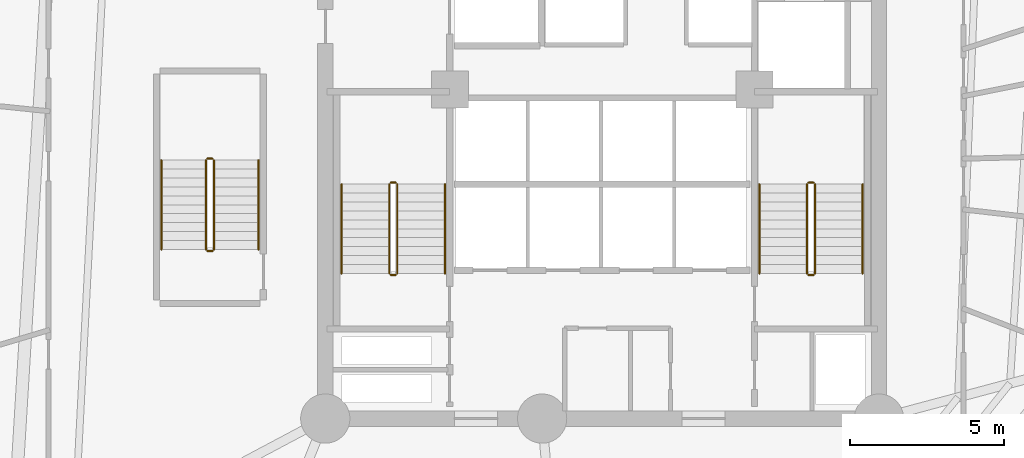
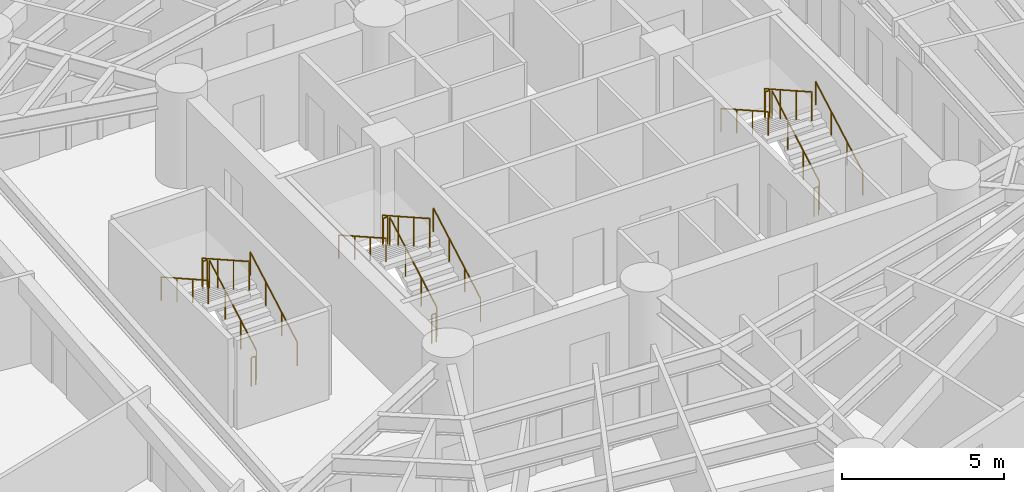
# One storey, part 8 of 8: 18 railings.
"""IFC4 building model written with IfcOpenShell, lengths in metres."""

from ifc_helpers import new_model, si_unit, direction, frame, origin, origin_2d, place, context, subcontext, project, spatial, circle, extrude, material, layer, layer_set, type_object, element, save


model = new_model("IFC4")

# Units and contexts
model_context = context("Model", 3, precision=1e-05, world=origin(), true_north=direction((0.0, 1.0)))
body_context = subcontext(model_context, "Body", "Model", "MODEL_VIEW")
ifc_project = project(units=[si_unit("LENGTHUNIT", "METRE"), si_unit("AREAUNIT", "SQUARE_METRE"), si_unit("VOLUMEUNIT", "CUBIC_METRE"), si_unit("PLANEANGLEUNIT", "RADIAN"), si_unit("MASSUNIT", "GRAM", prefix="KILO")], contexts=[model_context])

# Site, building, storey
site_placement = place(None, origin())
site = spatial("IfcSite", under=ifc_project, at=site_placement, CompositionType="ELEMENT")
building_placement = place(site_placement, origin())
building = spatial("IfcBuilding", under=site, at=building_placement, Name="Karkom Vertical University and Central Library", CompositionType="ELEMENT")
storey_placement = place(building_placement, frame((0.0, 0.0, 33.699951171875)))
storey = spatial("IfcBuildingStorey", under=building, at=storey_placement, Name="L08", CompositionType="ELEMENT", Elevation=33.699951171875)

# Railings
ifc_material_1 = material(Name="Painted galvanised steel balustrade", Category="steel")
ifc_layer_1 = layer(ifc_material_1, 0.06005859375)
ifc_layer_set_1 = layer_set([ifc_layer_1], Name="Painted galvanised steel balustrade")
railing_type_1 = type_object("IfcRailingType", Name="INT-RL-GUARD1100", PredefinedType="GUARDRAIL", material=ifc_layer_set_1)
railing_1_placement = place(storey_placement, frame((21.840087890625, 23.02001953125, 0.16357421875)))
element("IfcRailing", 1, at=railing_1_placement, inside=storey, type_object=railing_type_1, Name="Level 08 ST-1 stair guard 1", PredefinedType="GUARDRAIL", context=body_context, shape_type="SweptSolid", body=[
    extrude(circle(Radius=0.02392578125, at=origin_2d()), frame((0.0, 0.0, 1.076171875), z_axis=(0.0, 0.870897200241, 0.491465224214), x_axis=(-1.0, 0.0, 0.0)), (0.0, 0.0, 1.0), 3.329833984375),
    extrude(circle(Radius=0.02099609375, at=origin_2d()), origin(), (0.0, 0.0, 1.0), 1.052001953125),
    extrude(circle(Radius=0.02099609375, at=origin_2d()), frame((0.0, 0.966552734375, 0.54541015625)), (0.0, 0.0, 1.0), 1.052001953125),
    extrude(circle(Radius=0.02099609375, at=origin_2d()), frame((0.0, 1.933349609375, 1.091064453125)), (0.0, 0.0, 1.0), 1.052001953125),
    extrude(circle(Radius=0.02099609375, at=origin_2d()), frame((0.0, 2.89990234375, 1.636474609375)), (0.0, 0.0, 1.0), 1.052001953125),
])
railing_2_placement = place(storey_placement, frame((21.7900390625, 25.969970703125, 1.800048828125)))
element("IfcRailing", 2, at=railing_2_placement, inside=storey, type_object=railing_type_1, Name="Level 08 ST-1 stair guard 2", PredefinedType="GUARDRAIL", context=body_context, shape_type="SweptSolid", body=[
    extrude(circle(Radius=0.02392578125, at=origin_2d()), frame((0.0, 0.0, 1.076171875), z_axis=(-1.0, 0.0, 0.0), x_axis=(0.0, -1.0, 0.0)), (0.0, 0.0, 1.0), 0.16015625),
    extrude(circle(Radius=0.02099609375, at=origin_2d()), origin(), (0.0, 0.0, 1.0), 1.052001953125),
    extrude(circle(Radius=0.02099609375, at=origin_2d()), frame((-0.16015625, 0.0, 0.0)), (0.0, 0.0, 1.0), 1.052001953125),
])
railing_3_placement = place(storey_placement, frame((21.580078125, 25.919921875, 1.963623046875)))
element("IfcRailing", 3, at=railing_3_placement, inside=storey, type_object=railing_type_1, Name="Level 08 ST-1 stair guard 3", PredefinedType="GUARDRAIL", context=body_context, shape_type="SweptSolid", body=[
    extrude(circle(Radius=0.02392578125, at=origin_2d()), frame((0.0, 0.0, 1.076171875), z_axis=(0.0, -0.870897200241, 0.491465224214), x_axis=(1.0, 0.0, 0.0)), (0.0, 0.0, 1.0), 3.329833984375),
    extrude(circle(Radius=0.02099609375, at=origin_2d()), origin(), (0.0, 0.0, 1.0), 1.052001953125),
    extrude(circle(Radius=0.02099609375, at=origin_2d()), frame((0.0, -0.966552734375, 0.54541015625)), (0.0, 0.0, 1.0), 1.052001953125),
    extrude(circle(Radius=0.02099609375, at=origin_2d()), frame((0.0, -1.933349609375, 1.091064453125)), (0.0, 0.0, 1.0), 1.052001953125),
    extrude(circle(Radius=0.02099609375, at=origin_2d()), frame((0.0, -2.89990234375, 1.636474609375)), (0.0, 0.0, 1.0), 1.052001953125),
])
railing_4_placement = place(storey_placement, frame((21.7900390625, 22.969970703125, 0.0)))
element("IfcRailing", 4, at=railing_4_placement, inside=storey, type_object=railing_type_1, Name="Level 08 ST-1 stair guard 4", PredefinedType="GUARDRAIL", context=body_context, shape_type="SweptSolid", body=[
    extrude(circle(Radius=0.02392578125, at=origin_2d()), frame((0.0, 0.0, 1.076171875), z_axis=(-1.0, 0.0, 0.0), x_axis=(0.0, -1.0, 0.0)), (0.0, 0.0, 1.0), 0.16015625),
    extrude(circle(Radius=0.02099609375, at=origin_2d()), origin(), (0.0, 0.0, 1.0), 1.052001953125),
    extrude(circle(Radius=0.02099609375, at=origin_2d()), frame((-0.16015625, 0.0, 0.0)), (0.0, 0.0, 1.0), 1.052001953125),
])
railing_5_placement = place(storey_placement, frame((35.419921875, 23.02001953125, 0.16357421875)))
element("IfcRailing", 5, at=railing_5_placement, inside=storey, type_object=railing_type_1, Name="Level 08 ST-2 stair guard 1", PredefinedType="GUARDRAIL", context=body_context, shape_type="SweptSolid", body=[
    extrude(circle(Radius=0.02392578125, at=origin_2d()), frame((0.0, 0.0, 1.076171875), z_axis=(0.0, 0.870897200241, 0.491465224214), x_axis=(-1.0, 0.0, 0.0)), (0.0, 0.0, 1.0), 3.329833984375),
    extrude(circle(Radius=0.02099609375, at=origin_2d()), origin(), (0.0, 0.0, 1.0), 1.052001953125),
    extrude(circle(Radius=0.02099609375, at=origin_2d()), frame((0.0, 0.966552734375, 0.54541015625)), (0.0, 0.0, 1.0), 1.052001953125),
    extrude(circle(Radius=0.02099609375, at=origin_2d()), frame((0.0, 1.933349609375, 1.091064453125)), (0.0, 0.0, 1.0), 1.052001953125),
    extrude(circle(Radius=0.02099609375, at=origin_2d()), frame((0.0, 2.89990234375, 1.636474609375)), (0.0, 0.0, 1.0), 1.052001953125),
])
railing_6_placement = place(storey_placement, frame((35.3701171875, 25.969970703125, 1.800048828125)))
element("IfcRailing", 6, at=railing_6_placement, inside=storey, type_object=railing_type_1, Name="Level 08 ST-2 stair guard 2", PredefinedType="GUARDRAIL", context=body_context, shape_type="SweptSolid", body=[
    extrude(circle(Radius=0.02392578125, at=origin_2d()), frame((0.0, 0.0, 1.076171875), z_axis=(-1.0, 0.0, 0.0), x_axis=(0.0, -1.0, 0.0)), (0.0, 0.0, 1.0), 0.16015625),
    extrude(circle(Radius=0.02099609375, at=origin_2d()), origin(), (0.0, 0.0, 1.0), 1.052001953125),
    extrude(circle(Radius=0.02099609375, at=origin_2d()), frame((-0.16015625, 0.0, 0.0)), (0.0, 0.0, 1.0), 1.052001953125),
])
railing_7_placement = place(storey_placement, frame((35.159912109375, 25.919921875, 1.963623046875)))
element("IfcRailing", 7, at=railing_7_placement, inside=storey, type_object=railing_type_1, Name="Level 08 ST-2 stair guard 3", PredefinedType="GUARDRAIL", context=body_context, shape_type="SweptSolid", body=[
    extrude(circle(Radius=0.02392578125, at=origin_2d()), frame((0.0, 0.0, 1.076171875), z_axis=(0.0, -0.870897200241, 0.491465224214), x_axis=(1.0, 0.0, 0.0)), (0.0, 0.0, 1.0), 3.329833984375),
    extrude(circle(Radius=0.02099609375, at=origin_2d()), origin(), (0.0, 0.0, 1.0), 1.052001953125),
    extrude(circle(Radius=0.02099609375, at=origin_2d()), frame((0.0, -0.966552734375, 0.54541015625)), (0.0, 0.0, 1.0), 1.052001953125),
    extrude(circle(Radius=0.02099609375, at=origin_2d()), frame((0.0, -1.933349609375, 1.091064453125)), (0.0, 0.0, 1.0), 1.052001953125),
    extrude(circle(Radius=0.02099609375, at=origin_2d()), frame((0.0, -2.89990234375, 1.636474609375)), (0.0, 0.0, 1.0), 1.052001953125),
])
railing_8_placement = place(storey_placement, frame((35.3701171875, 22.969970703125, 0.0)))
element("IfcRailing", 8, at=railing_8_placement, inside=storey, type_object=railing_type_1, Name="Level 08 ST-2 stair guard 4", PredefinedType="GUARDRAIL", context=body_context, shape_type="SweptSolid", body=[
    extrude(circle(Radius=0.02392578125, at=origin_2d()), frame((0.0, 0.0, 1.076171875), z_axis=(-1.0, 0.0, 0.0), x_axis=(0.0, -1.0, 0.0)), (0.0, 0.0, 1.0), 0.16015625),
    extrude(circle(Radius=0.02099609375, at=origin_2d()), origin(), (0.0, 0.0, 1.0), 1.052001953125),
    extrude(circle(Radius=0.02099609375, at=origin_2d()), frame((-0.16015625, 0.0, 0.0)), (0.0, 0.0, 1.0), 1.052001953125),
])
railing_9_placement = place(storey_placement, frame((15.8798828125, 23.800048828125, 0.16357421875)))
element("IfcRailing", 9, at=railing_9_placement, inside=storey, type_object=railing_type_1, Name="Level 08 ST-3 stair guard 1", PredefinedType="GUARDRAIL", context=body_context, shape_type="SweptSolid", body=[
    extrude(circle(Radius=0.02392578125, at=origin_2d()), frame((0.0, 0.0, 1.076171875), z_axis=(0.0, 0.870897200241, 0.491465224214), x_axis=(-1.0, 0.0, 0.0)), (0.0, 0.0, 1.0), 3.329833984375),
    extrude(circle(Radius=0.02099609375, at=origin_2d()), origin(), (0.0, 0.0, 1.0), 1.052001953125),
    extrude(circle(Radius=0.02099609375, at=origin_2d()), frame((0.0, 0.966552734375, 0.54541015625)), (0.0, 0.0, 1.0), 1.052001953125),
    extrude(circle(Radius=0.02099609375, at=origin_2d()), frame((0.0, 1.933349609375, 1.091064453125)), (0.0, 0.0, 1.0), 1.052001953125),
    extrude(circle(Radius=0.02099609375, at=origin_2d()), frame((0.0, 2.89990234375, 1.636474609375)), (0.0, 0.0, 1.0), 1.052001953125),
])
railing_10_placement = place(storey_placement, frame((15.830078125, 26.75, 1.800048828125)))
element("IfcRailing", 10, at=railing_10_placement, inside=storey, type_object=railing_type_1, Name="Level 08 ST-3 stair guard 2", PredefinedType="GUARDRAIL", context=body_context, shape_type="SweptSolid", body=[
    extrude(circle(Radius=0.02392578125, at=origin_2d()), frame((0.0, 0.0, 1.076171875), z_axis=(-1.0, 0.0, 0.0), x_axis=(0.0, -1.0, 0.0)), (0.0, 0.0, 1.0), 0.16015625),
    extrude(circle(Radius=0.02099609375, at=origin_2d()), origin(), (0.0, 0.0, 1.0), 1.052001953125),
    extrude(circle(Radius=0.02099609375, at=origin_2d()), frame((-0.16015625, 0.0, 0.0)), (0.0, 0.0, 1.0), 1.052001953125),
])
railing_11_placement = place(storey_placement, frame((15.6201171875, 26.699951171875, 1.963623046875)))
element("IfcRailing", 11, at=railing_11_placement, inside=storey, type_object=railing_type_1, Name="Level 08 ST-3 stair guard 3", PredefinedType="GUARDRAIL", context=body_context, shape_type="SweptSolid", body=[
    extrude(circle(Radius=0.02392578125, at=origin_2d()), frame((0.0, 0.0, 1.076171875), z_axis=(0.0, -0.870897200241, 0.491465224214), x_axis=(1.0, 0.0, 0.0)), (0.0, 0.0, 1.0), 3.329833984375),
    extrude(circle(Radius=0.02099609375, at=origin_2d()), origin(), (0.0, 0.0, 1.0), 1.052001953125),
    extrude(circle(Radius=0.02099609375, at=origin_2d()), frame((0.0, -0.966552734375, 0.54541015625)), (0.0, 0.0, 1.0), 1.052001953125),
    extrude(circle(Radius=0.02099609375, at=origin_2d()), frame((0.0, -1.933349609375, 1.091064453125)), (0.0, 0.0, 1.0), 1.052001953125),
    extrude(circle(Radius=0.02099609375, at=origin_2d()), frame((0.0, -2.89990234375, 1.636474609375)), (0.0, 0.0, 1.0), 1.052001953125),
])
railing_12_placement = place(storey_placement, frame((15.830078125, 23.75, 0.0)))
element("IfcRailing", 12, at=railing_12_placement, inside=storey, type_object=railing_type_1, Name="Level 08 ST-3 stair guard 4", PredefinedType="GUARDRAIL", context=body_context, shape_type="SweptSolid", body=[
    extrude(circle(Radius=0.02392578125, at=origin_2d()), frame((0.0, 0.0, 1.076171875), z_axis=(-1.0, 0.0, 0.0), x_axis=(0.0, -1.0, 0.0)), (0.0, 0.0, 1.0), 0.16015625),
    extrude(circle(Radius=0.02099609375, at=origin_2d()), origin(), (0.0, 0.0, 1.0), 1.052001953125),
    extrude(circle(Radius=0.02099609375, at=origin_2d()), frame((-0.16015625, 0.0, 0.0)), (0.0, 0.0, 1.0), 1.052001953125),
])
ifc_material_2 = material(Name="Brushed stainless-steel tubular handrail", Category="steel")
ifc_layer_2 = layer(ifc_material_2, 0.048095703125)
ifc_layer_set_2 = layer_set([ifc_layer_2], Name="Brushed stainless-steel tubular handrail")
railing_type_2 = type_object("IfcRailingType", Name="INT-RL-HAND920", PredefinedType="HANDRAIL", material=ifc_layer_set_2)
railing_13_placement = place(storey_placement, frame((23.389892578125, 23.02001953125, 0.16357421875)))
element("IfcRailing", 13, at=railing_13_placement, inside=storey, type_object=railing_type_2, Name="Level 08 ST-1 stair handrail 1", PredefinedType="HANDRAIL", context=body_context, shape_type="SweptSolid", body=[
    extrude(circle(Radius=0.02392578125, at=origin_2d()), frame((0.0, 0.0, 0.8759765625), z_axis=(0.0, 0.870897200241, 0.491465224214), x_axis=(-1.0, 0.0, 0.0)), (0.0, 0.0, 1.0), 3.329833984375),
    extrude(circle(Radius=0.02099609375, at=origin_2d()), origin(), (0.0, 0.0, 1.0), 0.851806640625),
    extrude(circle(Radius=0.02099609375, at=origin_2d()), frame((0.0, 0.966552734375, 0.54541015625)), (0.0, 0.0, 1.0), 0.851806640625),
    extrude(circle(Radius=0.02099609375, at=origin_2d()), frame((0.0, 1.933349609375, 1.091064453125)), (0.0, 0.0, 1.0), 0.851806640625),
    extrude(circle(Radius=0.02099609375, at=origin_2d()), frame((0.0, 2.89990234375, 1.636474609375)), (0.0, 0.0, 1.0), 0.851806640625),
])
railing_14_placement = place(storey_placement, frame((20.030029296875, 25.919921875, 1.963623046875)))
element("IfcRailing", 14, at=railing_14_placement, inside=storey, type_object=railing_type_2, Name="Level 08 ST-1 stair handrail 2", PredefinedType="HANDRAIL", context=body_context, shape_type="SweptSolid", body=[
    extrude(circle(Radius=0.02392578125, at=origin_2d()), frame((0.0, 0.0, 0.8759765625), z_axis=(0.0, -0.870897200241, 0.491465224214), x_axis=(1.0, 0.0, 0.0)), (0.0, 0.0, 1.0), 3.329833984375),
    extrude(circle(Radius=0.02099609375, at=origin_2d()), origin(), (0.0, 0.0, 1.0), 0.851806640625),
    extrude(circle(Radius=0.02099609375, at=origin_2d()), frame((0.0, -0.966552734375, 0.54541015625)), (0.0, 0.0, 1.0), 0.851806640625),
    extrude(circle(Radius=0.02099609375, at=origin_2d()), frame((0.0, -1.933349609375, 1.091064453125)), (0.0, 0.0, 1.0), 0.851806640625),
    extrude(circle(Radius=0.02099609375, at=origin_2d()), frame((0.0, -2.89990234375, 1.636474609375)), (0.0, 0.0, 1.0), 0.851806640625),
])
railing_15_placement = place(storey_placement, frame((36.969970703125, 23.02001953125, 0.16357421875)))
element("IfcRailing", 15, at=railing_15_placement, inside=storey, type_object=railing_type_2, Name="Level 08 ST-2 stair handrail 1", PredefinedType="HANDRAIL", context=body_context, shape_type="SweptSolid", body=[
    extrude(circle(Radius=0.02392578125, at=origin_2d()), frame((0.0, 0.0, 0.8759765625), z_axis=(0.0, 0.870897200241, 0.491465224214), x_axis=(-1.0, 0.0, 0.0)), (0.0, 0.0, 1.0), 3.329833984375),
    extrude(circle(Radius=0.02099609375, at=origin_2d()), origin(), (0.0, 0.0, 1.0), 0.851806640625),
    extrude(circle(Radius=0.02099609375, at=origin_2d()), frame((0.0, 0.966552734375, 0.54541015625)), (0.0, 0.0, 1.0), 0.851806640625),
    extrude(circle(Radius=0.02099609375, at=origin_2d()), frame((0.0, 1.933349609375, 1.091064453125)), (0.0, 0.0, 1.0), 0.851806640625),
    extrude(circle(Radius=0.02099609375, at=origin_2d()), frame((0.0, 2.89990234375, 1.636474609375)), (0.0, 0.0, 1.0), 0.851806640625),
])
railing_16_placement = place(storey_placement, frame((33.610107421875, 25.919921875, 1.963623046875)))
element("IfcRailing", 16, at=railing_16_placement, inside=storey, type_object=railing_type_2, Name="Level 08 ST-2 stair handrail 2", PredefinedType="HANDRAIL", context=body_context, shape_type="SweptSolid", body=[
    extrude(circle(Radius=0.02392578125, at=origin_2d()), frame((0.0, 0.0, 0.8759765625), z_axis=(0.0, -0.870897200241, 0.491465224214), x_axis=(1.0, 0.0, 0.0)), (0.0, 0.0, 1.0), 3.329833984375),
    extrude(circle(Radius=0.02099609375, at=origin_2d()), origin(), (0.0, 0.0, 1.0), 0.851806640625),
    extrude(circle(Radius=0.02099609375, at=origin_2d()), frame((0.0, -0.966552734375, 0.54541015625)), (0.0, 0.0, 1.0), 0.851806640625),
    extrude(circle(Radius=0.02099609375, at=origin_2d()), frame((0.0, -1.933349609375, 1.091064453125)), (0.0, 0.0, 1.0), 0.851806640625),
    extrude(circle(Radius=0.02099609375, at=origin_2d()), frame((0.0, -2.89990234375, 1.636474609375)), (0.0, 0.0, 1.0), 0.851806640625),
])
railing_17_placement = place(storey_placement, frame((17.330078125, 23.800048828125, 0.16357421875)))
element("IfcRailing", 17, at=railing_17_placement, inside=storey, type_object=railing_type_2, Name="Level 08 ST-3 stair handrail 1", PredefinedType="HANDRAIL", context=body_context, shape_type="SweptSolid", body=[
    extrude(circle(Radius=0.02392578125, at=origin_2d()), frame((0.0, 0.0, 0.8759765625), z_axis=(0.0, 0.870897200241, 0.491465224214), x_axis=(-1.0, 0.0, 0.0)), (0.0, 0.0, 1.0), 3.329833984375),
    extrude(circle(Radius=0.02099609375, at=origin_2d()), origin(), (0.0, 0.0, 1.0), 0.851806640625),
    extrude(circle(Radius=0.02099609375, at=origin_2d()), frame((0.0, 0.966552734375, 0.54541015625)), (0.0, 0.0, 1.0), 0.851806640625),
    extrude(circle(Radius=0.02099609375, at=origin_2d()), frame((0.0, 1.933349609375, 1.091064453125)), (0.0, 0.0, 1.0), 0.851806640625),
    extrude(circle(Radius=0.02099609375, at=origin_2d()), frame((0.0, 2.89990234375, 1.636474609375)), (0.0, 0.0, 1.0), 0.851806640625),
])
railing_18_placement = place(storey_placement, frame((14.169921875, 26.699951171875, 1.963623046875)))
element("IfcRailing", 18, at=railing_18_placement, inside=storey, type_object=railing_type_2, Name="Level 08 ST-3 stair handrail 2", PredefinedType="HANDRAIL", context=body_context, shape_type="SweptSolid", body=[
    extrude(circle(Radius=0.02392578125, at=origin_2d()), frame((0.0, 0.0, 0.8759765625), z_axis=(0.0, -0.870897200241, 0.491465224214), x_axis=(1.0, 0.0, 0.0)), (0.0, 0.0, 1.0), 3.329833984375),
    extrude(circle(Radius=0.02099609375, at=origin_2d()), origin(), (0.0, 0.0, 1.0), 0.851806640625),
    extrude(circle(Radius=0.02099609375, at=origin_2d()), frame((0.0, -0.966552734375, 0.54541015625)), (0.0, 0.0, 1.0), 0.851806640625),
    extrude(circle(Radius=0.02099609375, at=origin_2d()), frame((0.0, -1.933349609375, 1.091064453125)), (0.0, 0.0, 1.0), 0.851806640625),
    extrude(circle(Radius=0.02099609375, at=origin_2d()), frame((0.0, -2.89990234375, 1.636474609375)), (0.0, 0.0, 1.0), 0.851806640625),
])

save(model, "model.ifc")
